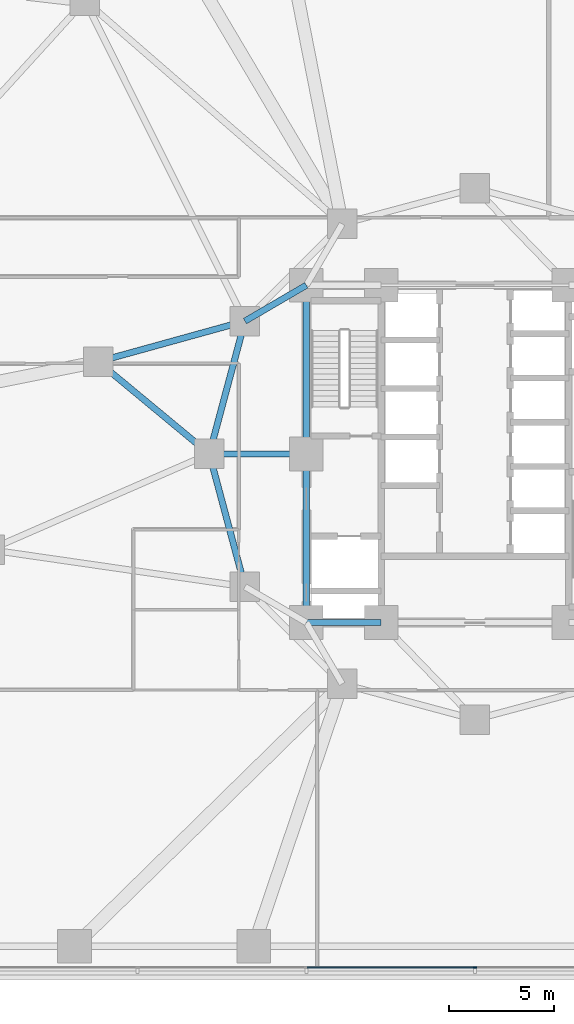
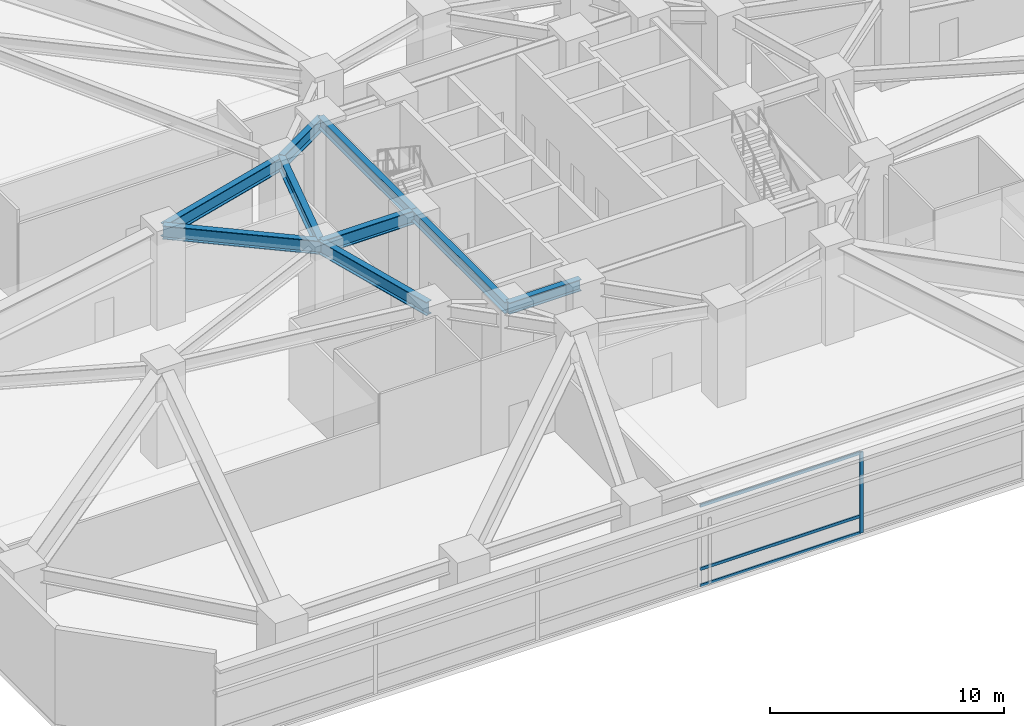
# One storey, part 6 of 27: 9 beams, 4 members, 1 element without a shape of its own.
"""IFC4 building model written with IfcOpenShell, lengths in metres."""

from ifc_helpers import new_model, si_unit, direction, frame, origin, origin_2d, place, context, subcontext, project, spatial, rectangle, i_section, extrude, material, layer, layer_set, material_profile, profile_set, type_object, element, aggregate, save


model = new_model("IFC4")

# Units and contexts
model_context = context("Model", 3, precision=1e-05, world=origin(), true_north=direction((0.0, 1.0)))
body_context = subcontext(model_context, "Body", "Model", "MODEL_VIEW")
ifc_project = project(units=[si_unit("LENGTHUNIT", "METRE"), si_unit("AREAUNIT", "SQUARE_METRE"), si_unit("VOLUMEUNIT", "CUBIC_METRE"), si_unit("PLANEANGLEUNIT", "RADIAN"), si_unit("MASSUNIT", "GRAM", prefix="KILO")], contexts=[model_context])

# Site, building, storey
site_placement = place(None, origin())
site = spatial("IfcSite", under=ifc_project, at=site_placement, CompositionType="ELEMENT")
building_placement = place(site_placement, origin())
building = spatial("IfcBuilding", under=site, at=building_placement, Name="Terralouvre Media Tower", CompositionType="ELEMENT")
storey_placement = place(building_placement, frame((0.0, 0.0, 15.60009765625)))
storey = spatial("IfcBuildingStorey", under=building, at=storey_placement, Name="L03", CompositionType="ELEMENT", Elevation=15.60009765625)

# Curtain wall, members
ifc_material_1 = material(Name="Low-iron laminated double glazing with solar-control coating", Category="glass")
ifc_layer = layer(ifc_material_1, 0.1650390625, Name="Podium Broadcast Gallery Glazing CW-01")
ifc_layer_set = layer_set([ifc_layer], Name="Low-iron laminated double glazing with solar-control coating")
curtain_wall_type = type_object("IfcCurtainWallType", Name="Podium Broadcast Gallery Glazing CW-01", PredefinedType="NOTDEFINED", material=ifc_layer_set)
curtain_wall_placement = place(storey_placement, origin())
curtain_wall = element("IfcCurtainWall", 1, at=curtain_wall_placement, inside=storey, type_object=curtain_wall_type, Name="L03 Podium Curtain Wall F0", PredefinedType="NOTDEFINED")
ifc_material_2 = material(Name="Anodised extruded aluminium 6063-T6", Category="aluminium")
ifc_material_profile_1 = material_profile(ifc_material_2, rectangle(XDim=0.074951171875, YDim=0.14990234375, at=origin_2d()), Name="ALU 75x150")
ifc_profile_set_1 = profile_set([ifc_material_profile_1], Name="Anodised extruded aluminium 6063-T6")
member_type_1 = type_object("IfcMemberType", Name="Curtain-Wall Horizontal Transom TR-150", PredefinedType="USERDEFINED", material=ifc_profile_set_1)
member_1_placement = place(storey_placement, frame((-7.96240234375, -24.360107421875, 0.037353515625), z_axis=(1.0, 0.0, 0.0), x_axis=(0.0, 1.0, 0.0)))
member_1 = element("IfcMember", 2, at=member_1_placement, type_object=member_type_1, Name="CW-01 transom 4.1", ObjectType="TRANSOM", PredefinedType="USERDEFINED", context=body_context, shape_type="SweptSolid", body=[
    extrude(rectangle(XDim=0.074951171875, YDim=0.14990234375, at=origin_2d()), origin(), (0.0, 0.0, 1.0), 7.9248046875),
])
member_2_placement = place(storey_placement, frame((-7.96240234375, -24.360107421875, 0.89990234375), z_axis=(1.0, 0.0, 0.0), x_axis=(0.0, 1.0, 0.0)))
member_2 = element("IfcMember", 3, at=member_2_placement, type_object=member_type_1, Name="CW-01 transom 4.2", ObjectType="TRANSOM", PredefinedType="USERDEFINED", context=body_context, shape_type="SweptSolid", body=[
    extrude(rectangle(XDim=0.074951171875, YDim=0.14990234375, at=origin_2d()), origin(), (0.0, 0.0, 1.0), 7.9248046875),
])
member_3_placement = place(storey_placement, frame((-7.96240234375, -24.360107421875, 4.1923828125), z_axis=(1.0, 0.0, 0.0), x_axis=(0.0, 1.0, 0.0)))
member_3 = element("IfcMember", 4, at=member_3_placement, type_object=member_type_1, Name="CW-01 transom 4.3", ObjectType="TRANSOM", PredefinedType="USERDEFINED", context=body_context, shape_type="SweptSolid", body=[
    extrude(rectangle(XDim=0.074951171875, YDim=0.14990234375, at=origin_2d()), origin(), (0.0, 0.0, 1.0), 7.9248046875),
])
ifc_material_3 = material(Name="Anodised extruded aluminium 6063-T6", Category="aluminium")
ifc_material_profile_2 = material_profile(ifc_material_3, rectangle(XDim=0.074951171875, YDim=0.179931640625, at=origin_2d()), Name="ALU 75x180")
ifc_profile_set_2 = profile_set([ifc_material_profile_2], Name="Anodised extruded aluminium 6063-T6")
member_type_2 = type_object("IfcMemberType", Name="Curtain-Wall Vertical Mullion ML-180", PredefinedType="MULLION", material=ifc_profile_set_2)
member_4_placement = place(storey_placement, frame((0.0, -24.360107421875, 0.0), z_axis=(0.0, 0.0, 1.0), x_axis=(0.0, 1.0, 0.0)))
member_4 = element("IfcMember", 5, at=member_4_placement, type_object=member_type_2, Name="CW-01 mullion 5", PredefinedType="MULLION", context=body_context, shape_type="SweptSolid", body=[
    extrude(rectangle(XDim=0.074951171875, YDim=0.179931640625, at=origin_2d()), origin(), (0.0, 0.0, 1.0), 4.22998046875),
])
aggregate(curtain_wall, [member_4, member_1, member_2, member_3])

# Beams
ifc_material_4 = material(Name="Structural steel S460M", Category="steel")
ifc_material_profile_3 = material_profile(ifc_material_4, i_section(OverallWidth=0.300048828125, OverallDepth=0.60009765625, WebThickness=0.015380859375, FlangeThickness=0.030029296875, at=origin_2d()), Name="HEB 600")
ifc_profile_set_3 = profile_set([ifc_material_profile_3], Name="Structural steel S460M")
beam_type_1 = type_object("IfcBeamType", Name="Primary Floor Girder B-HEB600 (HEB 600)", PredefinedType="BEAM", material=ifc_profile_set_3)
beam_1_placement = place(storey_placement, frame((-8.0, -8.0, 4.64990234375), z_axis=(1.0, 0.0, 0.0), x_axis=(0.0, 1.0, 0.0)))
element("IfcBeam", 6, at=beam_1_placement, inside=storey, type_object=beam_type_1, Name="L03 Framing Beam BM-L03-CPR01", PredefinedType="BEAM", context=body_context, shape_type="SweptSolid", body=[
    extrude(i_section(OverallWidth=0.300048828125, OverallDepth=0.60009765625, WebThickness=0.015380859375, FlangeThickness=0.030029296875, at=origin_2d()), origin(), (0.0, 0.0, 1.0), 3.550048828125),
])
for number, where, z_axis, x_axis, name in (
    (7, (-8.0, 8.0, 4.64990234375), (0.0, -1.0, 0.0), (1.0, 0.0, 0.0), "L03 Framing Beam BM-L03-CPR09"),
    (8, (-8.0, 0.0, 4.64990234375), (0.0, -1.0, 0.0), (1.0, 0.0, 0.0), "L03 Framing Beam BM-L03-CPR10"),
):
    element("IfcBeam", number, at=place(storey_placement, frame(where, z_axis=z_axis, x_axis=x_axis)), inside=storey, type_object=beam_type_1, Name=name, PredefinedType="BEAM", context=body_context, shape_type="SweptSolid", body=[
        extrude(i_section(OverallWidth=0.300048828125, OverallDepth=0.60009765625, WebThickness=0.015380859375, FlangeThickness=0.030029296875, at=origin_2d()), origin(), (0.0, 0.0, 1.0), 8.0),
    ])
ifc_material_5 = material(Name="Structural steel S460M", Category="steel")
ifc_material_profile_4 = material_profile(ifc_material_5, i_section(OverallWidth=0.300048828125, OverallDepth=0.699951171875, WebThickness=0.01708984375, FlangeThickness=0.031982421875, at=origin_2d()), Name="HEB 700")
ifc_profile_set_4 = profile_set([ifc_material_profile_4], Name="Structural steel S460M")
beam_type_2 = type_object("IfcBeamType", Name="Primary Floor Girder B-HEB700 (HEB 700)", PredefinedType="BEAM", material=ifc_profile_set_4)
for number, where, z_axis, x_axis, name in (
    (9, (-10.911865234375, 6.300048828125, 4.599853515625), (-0.258838989821, -0.965920481897, 0.0), (0.965920481897, -0.258838989821, 0.0), "L03 Framing Beam BM-L03-MR11"),
    (10, (-12.60009765625, 0.0, 4.599853515625), (0.258838989821, -0.965920481897, 0.0), (0.965920481897, 0.258838989821, 0.0), "L03 Framing Beam BM-L03-MR12"),
):
    element("IfcBeam", number, at=place(storey_placement, frame(where, z_axis=z_axis, x_axis=x_axis)), inside=storey, type_object=beam_type_2, Name=name, PredefinedType="BEAM", context=body_context, shape_type="SweptSolid", body=[
        extrude(i_section(OverallWidth=0.300048828125, OverallDepth=0.699951171875, WebThickness=0.01708984375, FlangeThickness=0.031982421875, at=origin_2d()), origin(), (0.0, 0.0, 1.0), 6.522216796875),
    ])
beam_2_placement = place(storey_placement, frame((-8.0, 8.0, 4.599853515625), z_axis=(-0.863602894532, -0.504172629717, 0.0), x_axis=(0.504172629717, -0.863602894532, 0.0)))
element("IfcBeam", 11, at=beam_2_placement, inside=storey, type_object=beam_type_2, Name="L03 Framing Beam BM-L03-CM11", PredefinedType="BEAM", context=body_context, shape_type="SweptSolid", body=[
    extrude(i_section(OverallWidth=0.300048828125, OverallDepth=0.699951171875, WebThickness=0.01708984375, FlangeThickness=0.031982421875, at=origin_2d()), origin(), (0.0, 0.0, 1.0), 3.371826171875),
])
beam_3_placement = place(storey_placement, frame((-8.0, 0.0, 4.599853515625), z_axis=(-1.0, 0.0, 0.0), x_axis=(0.0, -1.0, 0.0)))
element("IfcBeam", 12, at=beam_3_placement, inside=storey, type_object=beam_type_2, Name="L03 Framing Beam BM-L03-CM12", PredefinedType="BEAM", context=body_context, shape_type="SweptSolid", body=[
    extrude(i_section(OverallWidth=0.300048828125, OverallDepth=0.699951171875, WebThickness=0.01708984375, FlangeThickness=0.031982421875, at=origin_2d()), origin(), (0.0, 0.0, 1.0), 4.60009765625),
])
beam_4_placement = place(storey_placement, frame((-12.60009765625, 0.0, 4.599853515625), z_axis=(-0.769816459478, 0.638265320001, 0.0), x_axis=(-0.638265320001, -0.769816459478, 0.0)))
element("IfcBeam", 13, at=beam_4_placement, inside=storey, type_object=beam_type_2, Name="L03 Framing Beam BM-L03-PM23M1", PredefinedType="BEAM", context=body_context, shape_type="SweptSolid", body=[
    extrude(i_section(OverallWidth=0.300048828125, OverallDepth=0.699951171875, WebThickness=0.01708984375, FlangeThickness=0.031982421875, at=origin_2d()), origin(), (0.0, 0.0, 1.0), 6.851806640625),
])
beam_5_placement = place(storey_placement, frame((-10.911865234375, 6.300048828125, 4.599853515625), z_axis=(-0.963780816717, -0.266695589254, 0.0), x_axis=(0.266695589254, -0.963780816717, 0.0)))
element("IfcBeam", 14, at=beam_5_placement, inside=storey, type_object=beam_type_2, Name="L03 Framing Beam BM-L03-PM23M2", PredefinedType="BEAM", context=body_context, shape_type="SweptSolid", body=[
    extrude(i_section(OverallWidth=0.300048828125, OverallDepth=0.699951171875, WebThickness=0.01708984375, FlangeThickness=0.031982421875, at=origin_2d()), origin(), (0.0, 0.0, 1.0), 7.224609375),
])

save(model, "model.ifc")
